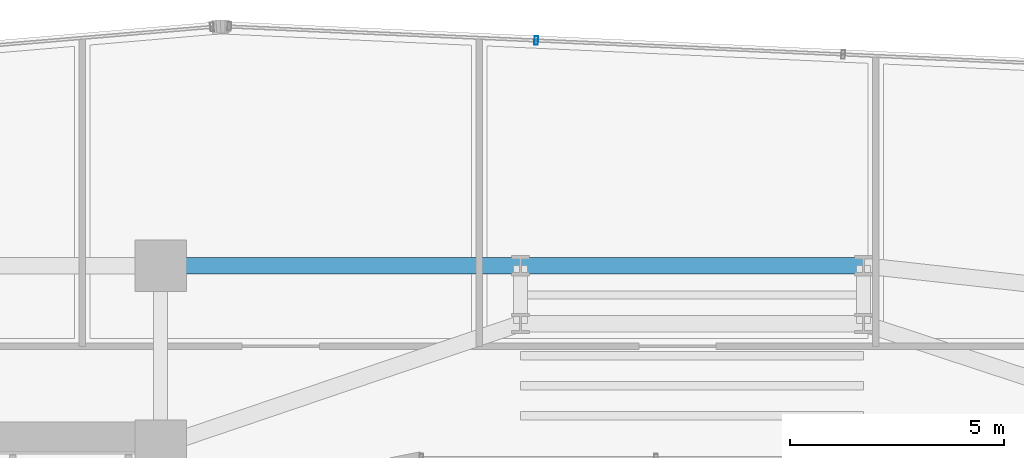
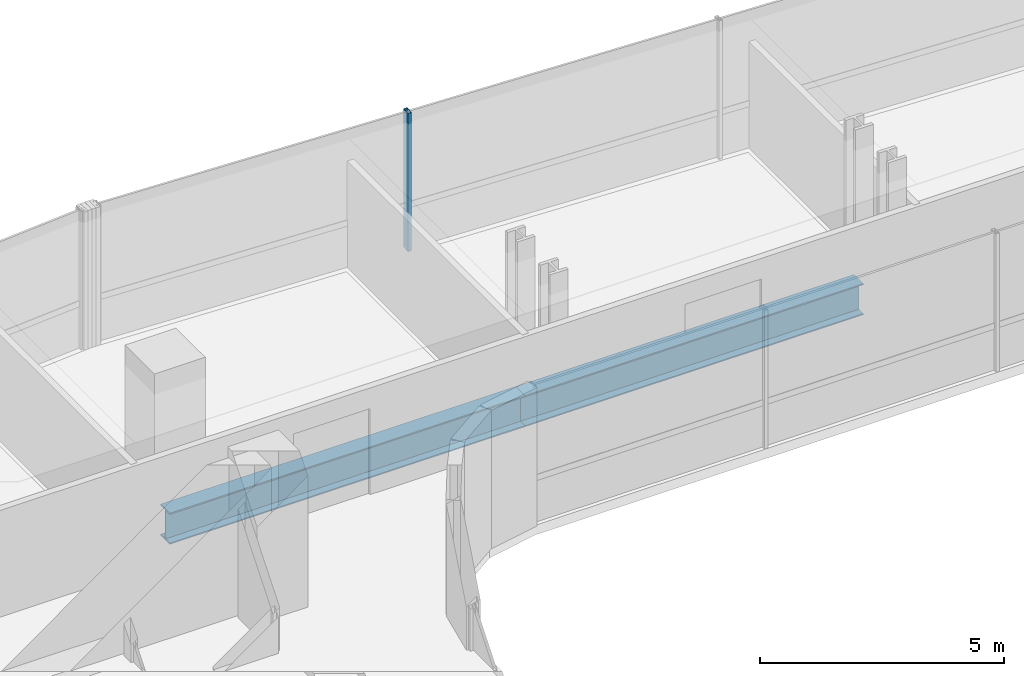
# One storey, part 22 of 37: 2 beams, 1 member, 1 element without a shape of its own.
"""IFC4 building model written with IfcOpenShell, lengths in metres."""

from ifc_helpers import new_model, si_unit, direction, frame, origin, origin_2d, place, context, subcontext, project, spatial, hollow_rectangle, i_section, extrude, source, transform, mapped, material, material_profile, profile_set, type_object, element, aggregate, save


model = new_model("IFC4")

# Units and contexts
model_context = context("Model", 3, precision=1e-05, world=origin(), true_north=direction((0.0, 1.0)))
body_context = subcontext(model_context, "Body", "Model", "MODEL_VIEW")
ifc_project = project(units=[si_unit("LENGTHUNIT", "METRE"), si_unit("AREAUNIT", "SQUARE_METRE"), si_unit("VOLUMEUNIT", "CUBIC_METRE"), si_unit("PLANEANGLEUNIT", "RADIAN"), si_unit("MASSUNIT", "GRAM", prefix="KILO")], contexts=[model_context])

# Site, building, storey
site_placement = place(None, origin())
site = spatial("IfcSite", under=ifc_project, at=site_placement, CompositionType="ELEMENT")
building_placement = place(site_placement, origin())
building = spatial("IfcBuilding", under=site, at=building_placement, Name="Valdorenza Pilgrim Sanctuary Tower", CompositionType="ELEMENT")
storey_placement = place(building_placement, frame((0.0, 0.0, 135.300048828125)))
storey = spatial("IfcBuildingStorey", under=building, at=storey_placement, Name="L34", CompositionType="ELEMENT", Elevation=135.300048828125)

# Beams
ifc_material_1 = material(Name="Steel ASTM A992 Grade 50", Category="steel")
ifc_material_profile_1 = material_profile(ifc_material_1, i_section(OverallWidth=0.382080078125, OverallDepth=0.779052734375, WebThickness=0.01806640625, FlangeThickness=0.030029296875, at=origin_2d()), Name="W30X191")
ifc_profile_set_1 = profile_set([ifc_material_profile_1], Name="Steel ASTM A992 Grade 50")
beam_type = type_object("IfcBeamType", Name="STR-BM-GRD-W30", PredefinedType="BEAM", material=ifc_profile_set_1)
shared_shape_1 = source(origin(), body_context, "Body", "SweptSolid", [
    extrude(i_section(OverallWidth=0.382080078125, OverallDepth=0.779052734375, WebThickness=0.01806640625, FlangeThickness=0.030029296875, at=origin_2d()), origin(), (0.0, 0.0, 1.0), 8.0),
])
beam_1_placement = place(storey_placement, frame((-4.0, 14.800048828125, -0.629638671875), z_axis=(1.0, 0.0, 0.0), x_axis=(0.0, 1.0, 0.0)))
element("IfcBeam", 1, at=beam_1_placement, inside=storey, type_object=beam_type, Name="L34 Floor Girder KNK-G5", PredefinedType="BEAM", context=body_context, shape_type="MappedRepresentation", body=[
    mapped(shared_shape_1, transform((0.0, 0.0, 0.0), x_axis=(1.0, 0.0, 0.0), y_axis=(0.0, 1.0, 0.0), z_axis=(0.0, 0.0, 1.0), scale=1.0)),
])
shared_shape_2 = source(origin(), body_context, "Body", "SweptSolid", [
    extrude(i_section(OverallWidth=0.382080078125, OverallDepth=0.779052734375, WebThickness=0.01806640625, FlangeThickness=0.030029296875, at=origin_2d()), origin(), (0.0, 0.0, 1.0), 8.39990234375),
])
beam_2_placement = place(storey_placement, frame((-12.39990234375, 14.800048828125, -0.629638671875), z_axis=(1.0, 0.0, 0.0), x_axis=(0.0, 1.0, 0.0)))
element("IfcBeam", 2, at=beam_2_placement, inside=storey, type_object=beam_type, Name="L34 Floor Girder KNK-G4", PredefinedType="BEAM", context=body_context, shape_type="MappedRepresentation", body=[
    mapped(shared_shape_2, transform((0.0, 0.0, 0.0), x_axis=(1.0, 0.0, 0.0), y_axis=(0.0, 1.0, 0.0), z_axis=(0.0, 0.0, 1.0), scale=1.0)),
])

# Curtain wall, member
ifc_material_2 = material(Name="Curtain-wall IGU glazing", Category="glass")
curtain_wall_type = type_object("IfcCurtainWallType", Name="CW-SYS-02", PredefinedType="NOTDEFINED", material=ifc_material_2)
curtain_wall_placement = place(storey_placement, origin())
curtain_wall = element("IfcCurtainWall", 3, at=curtain_wall_placement, inside=storey, type_object=curtain_wall_type, Name="L34 Curtain Wall CW-L34-1-11", PredefinedType="NOTDEFINED")
ifc_material_3 = material(Name="Anodised aluminium AW-6060", Category="aluminium")
ifc_material_profile_2 = material_profile(ifc_material_3, hollow_rectangle(XDim=0.0849609375, YDim=0.199951171875, WallThickness=0.0048828125, at=origin_2d()), Name="ALU-M 200x85x5")
ifc_profile_set_2 = profile_set([ifc_material_profile_2], Name="Anodised aluminium AW-6060")
member_type = type_object("IfcMemberType", Name="CW-MUL-02", PredefinedType="MULLION", material=ifc_profile_set_2)
shared_shape_3 = source(origin(), body_context, "Body", "SweptSolid", [
    extrude(hollow_rectangle(XDim=0.0849609375, YDim=0.199951171875, WallThickness=0.0048828125, at=origin_2d()), origin(), (0.0, 0.0, 1.0), 3.4599609375),
])
member_placement = place(storey_placement, frame((-3.6337890625, 20.05517578125, 0.0), z_axis=(0.0, 0.0, 1.0), x_axis=(0.998968193221, -0.045415294044, 0.0)))
member = element("IfcMember", 4, at=member_placement, type_object=member_type, Name="CW-L34-1-11 Mullion 2", PredefinedType="MULLION", context=body_context, shape_type="MappedRepresentation", body=[
    mapped(shared_shape_3, transform((0.0, 0.0, 0.0), x_axis=(1.0, 0.0, 0.0), y_axis=(0.0, 1.0, 0.0), z_axis=(0.0, 0.0, 1.0), scale=1.0)),
])
aggregate(curtain_wall, [member])

save(model, "model.ifc")
